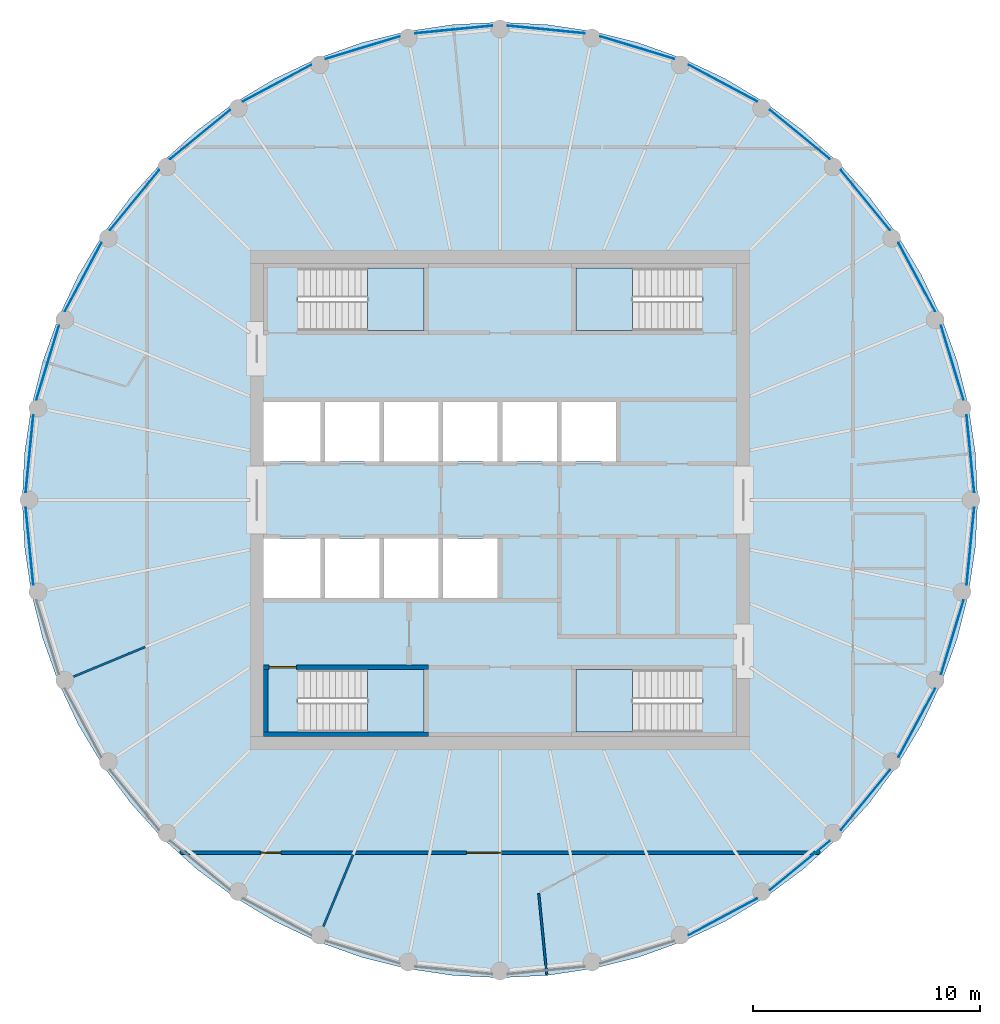
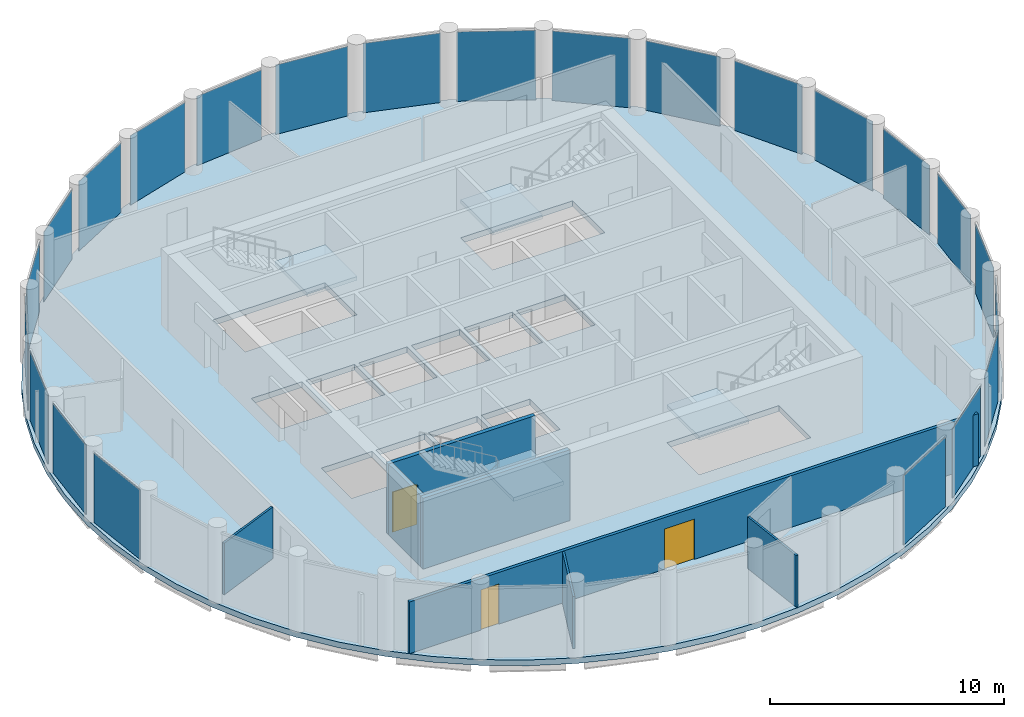
# One storey, part 3 of 7: 23 plates, 7 walls, 5 slabs, 3 doors, 3 openings, 27 elements without a shape of their own.
"""IFC4 building model written with IfcOpenShell, lengths in metres."""

from ifc_helpers import new_model, si_unit, direction, frame, frame_2d, origin, origin_2d, place, context, subcontext, project, spatial, polyline, rectangle, outline, extrude, material, layer, layer_set, type_object, element, fill, aggregate, save


model = new_model("IFC4")

# Units and contexts
model_context = context("Model", 3, precision=1e-05, world=origin(), true_north=direction((0.0, 1.0)))
body_context = subcontext(model_context, "Body", "Model", "MODEL_VIEW")
ifc_project = project(units=[si_unit("LENGTHUNIT", "METRE"), si_unit("AREAUNIT", "SQUARE_METRE"), si_unit("VOLUMEUNIT", "CUBIC_METRE"), si_unit("PLANEANGLEUNIT", "RADIAN"), si_unit("MASSUNIT", "GRAM", prefix="KILO")], contexts=[model_context])

# Site, building, storey
site_placement = place(None, origin())
site = spatial("IfcSite", under=ifc_project, at=site_placement, CompositionType="ELEMENT")
building_placement = place(site_placement, origin())
building = spatial("IfcBuilding", under=site, at=building_placement, Name="Corvane Civic Tower", CompositionType="ELEMENT")
storey_placement = place(building_placement, frame((0.0, 0.0, 360.5)))
storey = spatial("IfcBuildingStorey", under=building, at=storey_placement, Name="L86", CompositionType="ELEMENT", Elevation=360.5)

# Slab
ifc_material_1 = material(Name="Concrete C40/50", Category="concrete")
ifc_layer_1 = layer(ifc_material_1, 0.300048828125)
ifc_layer_set_1 = layer_set([ifc_layer_1], Name="Concrete C40/50")
slab_type_1 = type_object("IfcSlabType", Name="FLOOR SLAB 300", PredefinedType="FLOOR", material=ifc_layer_set_1)
slab_1_placement = place(storey_placement, frame((0.0, 0.0, -0.300048828125)))
element("IfcSlab", 1, at=slab_1_placement, inside=storey, type_object=slab_type_1, Name="SLB-L86", PredefinedType="FLOOR", context=body_context, shape_type="SweptSolid", body=[
    extrude(outline(polyline([(0.0, 21.0), (-2.058349609375, 20.89892578125), (-4.096923828125, 20.596435546875), (-6.095947265625, 20.095703125), (-8.036376953125, 19.4013671875), (-9.8994140625, 18.520263671875), (-11.6669921875, 17.4609375), (-13.322265625, 16.233154296875), (-14.84912109375, 14.84912109375), (-16.233154296875, 13.322265625), (-17.4609375, 11.6669921875), (-18.520263671875, 9.8994140625), (-19.4013671875, 8.036376953125), (-20.095703125, 6.095947265625), (-20.596435546875, 4.096923828125), (-20.89892578125, 2.058349609375), (-21.0, 0.0), (-20.89892578125, -2.058349609375), (-20.596435546875, -4.096923828125), (-20.095703125, -6.095947265625), (-19.4013671875, -8.036376953125), (-18.520263671875, -9.8994140625), (-17.4609375, -11.6669921875), (-16.233154296875, -13.322265625), (-14.84912109375, -14.84912109375), (-13.322265625, -16.233154296875), (-11.6669921875, -17.4609375), (-9.8994140625, -18.520263671875), (-8.036376953125, -19.4013671875), (-6.095947265625, -20.095703125), (-4.096923828125, -20.596435546875), (-2.058349609375, -20.89892578125), (0.0, -21.0), (2.058349609375, -20.89892578125), (4.096923828125, -20.596435546875), (6.095947265625, -20.095703125), (8.036376953125, -19.4013671875), (9.8994140625, -18.520263671875), (11.6669921875, -17.4609375), (13.322265625, -16.233154296875), (14.84912109375, -14.84912109375), (16.233154296875, -13.322265625), (17.4609375, -11.6669921875), (18.520263671875, -9.8994140625), (19.4013671875, -8.036376953125), (20.095703125, -6.095947265625), (20.596435546875, -4.096923828125), (20.89892578125, -2.058349609375), (21.0, 0.0), (20.89892578125, 2.058349609375), (20.596435546875, 4.096923828125), (20.095703125, 6.095947265625), (19.4013671875, 8.036376953125), (18.520263671875, 9.8994140625), (17.4609375, 11.6669921875), (16.233154296875, 13.322265625), (14.84912109375, 14.84912109375), (13.322265625, 16.233154296875), (11.6669921875, 17.4609375), (9.8994140625, 18.520263671875), (8.036376953125, 19.4013671875), (6.095947265625, 20.095703125), (4.096923828125, 20.596435546875), (2.058349609375, 20.89892578125), (0.0, 21.0)]), holes=[polyline([(-10.39990234375, 4.300048828125), (-7.89990234375, 4.300048828125), (-7.89990234375, 1.699951171875), (-10.39990234375, 1.699951171875), (-10.39990234375, 4.300048828125)]), polyline([(-7.699951171875, 4.300048828125), (-5.300048828125, 4.300048828125), (-5.300048828125, 1.699951171875), (-7.699951171875, 1.699951171875), (-7.699951171875, 4.300048828125)]), polyline([(-5.10009765625, 4.300048828125), (-2.699951171875, 4.300048828125), (-2.699951171875, 1.699951171875), (-5.10009765625, 1.699951171875), (-5.10009765625, 4.300048828125)]), polyline([(-2.5, 1.699951171875), (-2.5, 4.300048828125), (-0.10009765625, 4.300048828125), (-0.10009765625, 1.699951171875), (-2.5, 1.699951171875)]), polyline([(0.10009765625, 1.699951171875), (0.10009765625, 4.300048828125), (2.5, 4.300048828125), (2.5, 1.699951171875), (0.10009765625, 1.699951171875)]), polyline([(2.699951171875, 1.699951171875), (2.699951171875, 4.300048828125), (5.10009765625, 4.300048828125), (5.10009765625, 1.699951171875), (2.699951171875, 1.699951171875)]), polyline([(-10.39990234375, -1.699951171875), (-7.89990234375, -1.699951171875), (-7.89990234375, -4.300048828125), (-10.39990234375, -4.300048828125), (-10.39990234375, -1.699951171875)]), polyline([(-7.699951171875, -4.300048828125), (-7.699951171875, -1.699951171875), (-5.300048828125, -1.699951171875), (-5.300048828125, -4.300048828125), (-7.699951171875, -4.300048828125)]), polyline([(-5.10009765625, -4.300048828125), (-5.10009765625, -1.699951171875), (-2.699951171875, -1.699951171875), (-2.699951171875, -4.300048828125), (-5.10009765625, -4.300048828125)]), polyline([(-2.5, -4.300048828125), (-2.5, -1.699951171875), (-0.10009765625, -1.699951171875), (-0.10009765625, -4.300048828125), (-2.5, -4.300048828125)]), polyline([(8.889892578125, 10.199951171875), (8.889892578125, 7.449951171875), (3.35009765625, 7.449951171875), (3.35009765625, 10.199951171875), (8.889892578125, 10.199951171875)]), polyline([(-8.889892578125, 7.449951171875), (-8.889892578125, 10.199951171875), (-3.35009765625, 10.199951171875), (-3.35009765625, 7.449951171875), (-8.889892578125, 7.449951171875)]), polyline([(8.889892578125, -7.449951171875), (8.889892578125, -10.199951171875), (3.35009765625, -10.199951171875), (3.35009765625, -7.449951171875), (8.889892578125, -7.449951171875)]), polyline([(-8.889892578125, -10.199951171875), (-8.889892578125, -7.449951171875), (-3.35009765625, -7.449951171875), (-3.35009765625, -10.199951171875), (-8.889892578125, -10.199951171875)])]), origin(), (0.0, 0.0, 1.0), 0.300048828125),
])

# Stair, slab
ifc_material_2 = material(Name="Concrete C40/50", Category="concrete")
stair_type = type_object("IfcStairType", Name="ST-STAIR-HALFTURN", PredefinedType="HALF_TURN_STAIR", material=ifc_material_2)
stair_1_placement = place(storey_placement, origin())
stair_1 = element("IfcStair", 2, at=stair_1_placement, inside=storey, type_object=stair_type, Name="L86 Exit stair ST1", PredefinedType="HALF_TURN_STAIR")
ifc_material_3 = material(Name="Concrete C40/50", Category="concrete")
ifc_layer_2 = layer(ifc_material_3, 0.199951171875)
ifc_layer_set_2 = layer_set([ifc_layer_2], Name="Concrete C40/50")
slab_type_2 = type_object("IfcSlabType", Name="ST-LANDING-RC", PredefinedType="LANDING", material=ifc_layer_set_2)
slab_2_placement = place(storey_placement, frame((0.0, 0.0, 1.800048828125)))
slab_2 = element("IfcSlab", 3, at=slab_2_placement, type_object=slab_type_2, Name="ST1 landing 1", PredefinedType="LANDING", context=body_context, shape_type="SweptSolid", body=[
    extrude(outline(polyline([(5.820068359375, 10.199951171875), (3.35009765625, 10.199951171875), (3.35009765625, 7.449951171875), (5.820068359375, 7.449951171875), (5.820068359375, 10.199951171875)])), origin(), (0.0, 0.0, 1.0), 0.199951171875),
])
aggregate(stair_1, [slab_2])

stair_2_placement = place(storey_placement, origin())
stair_2 = element("IfcStair", 4, at=stair_2_placement, inside=storey, type_object=stair_type, Name="L86 Exit stair ST2", PredefinedType="HALF_TURN_STAIR")
slab_3_placement = place(storey_placement, frame((0.0, 0.0, 1.800048828125)))
slab_3 = element("IfcSlab", 5, at=slab_3_placement, type_object=slab_type_2, Name="ST2 landing 1", PredefinedType="LANDING", context=body_context, shape_type="SweptSolid", body=[
    extrude(outline(polyline([(5.820068359375, -7.449951171875), (3.35009765625, -7.449951171875), (3.35009765625, -10.199951171875), (5.820068359375, -10.199951171875), (5.820068359375, -7.449951171875)])), origin(), (0.0, 0.0, 1.0), 0.199951171875),
])
aggregate(stair_2, [slab_3])

stair_3_placement = place(storey_placement, origin())
stair_3 = element("IfcStair", 6, at=stair_3_placement, inside=storey, type_object=stair_type, Name="L86 Exit stair ST3", PredefinedType="HALF_TURN_STAIR")
slab_4_placement = place(storey_placement, frame((0.0, 0.0, 1.800048828125)))
slab_4 = element("IfcSlab", 7, at=slab_4_placement, type_object=slab_type_2, Name="ST3 landing 1", PredefinedType="LANDING", context=body_context, shape_type="SweptSolid", body=[
    extrude(outline(polyline([(-5.820068359375, -10.199951171875), (-3.35009765625, -10.199951171875), (-3.35009765625, -7.449951171875), (-5.820068359375, -7.449951171875), (-5.820068359375, -10.199951171875)])), origin(), (0.0, 0.0, 1.0), 0.199951171875),
])
aggregate(stair_3, [slab_4])

stair_4_placement = place(storey_placement, origin())
stair_4 = element("IfcStair", 8, at=stair_4_placement, inside=storey, type_object=stair_type, Name="L86 Exit stair ST4", PredefinedType="HALF_TURN_STAIR")
slab_5_placement = place(storey_placement, frame((0.0, 0.0, 1.800048828125)))
slab_5 = element("IfcSlab", 9, at=slab_5_placement, type_object=slab_type_2, Name="ST4 landing 1", PredefinedType="LANDING", context=body_context, shape_type="SweptSolid", body=[
    extrude(outline(polyline([(-5.820068359375, 7.449951171875), (-3.35009765625, 7.449951171875), (-3.35009765625, 10.199951171875), (-5.820068359375, 10.199951171875), (-5.820068359375, 7.449951171875)])), origin(), (0.0, 0.0, 1.0), 0.199951171875),
])
aggregate(stair_4, [slab_5])

# Curtain wall, plate
ifc_material_4 = material(Name="Anodised aluminium bronze", Category="aluminium")
curtain_wall_type = type_object("IfcCurtainWallType", Name="TOWER CW-T3 STICK CURTAIN WALL", PredefinedType="NOTDEFINED", material=ifc_material_4)
curtain_wall_1_placement = place(storey_placement, origin())
curtain_wall_1 = element("IfcCurtainWall", 10, at=curtain_wall_1_placement, inside=storey, type_object=curtain_wall_type, Name="Curtain wall CW-T3 L86 bay 01", PredefinedType="NOTDEFINED")
ifc_material_5 = material(Name="Tinted glass", Category="glass")
ifc_layer_3 = layer(ifc_material_5, 0.028076171875)
ifc_layer_set_3 = layer_set([ifc_layer_3], Name="Tinted glass")
plate_type = type_object("IfcPlateType", Name="TOWER CW-T3 PANEL IGU28", PredefinedType="CURTAIN_PANEL", material=ifc_layer_set_3)
plate_1_placement = place(storey_placement, frame((2.03662109375, 20.679443359375, 0.0), z_axis=(0.0, 0.0, 1.0), x_axis=(0.995186641028, -0.097997701601, 0.0)))
plate_1 = element("IfcPlate", 11, at=plate_1_placement, type_object=plate_type, Name="Glass panel CW-T3 L86 01.1", PredefinedType="CURTAIN_PANEL", context=body_context, shape_type="SweptSolid", body=[
    extrude(rectangle(XDim=3.402587890625, YDim=0.028076171875, at=origin_2d()), origin(), (0.0, 0.0, 1.0), 3.6298828125),
])
aggregate(curtain_wall_1, [plate_1])

curtain_wall_2_placement = place(storey_placement, origin())
curtain_wall_2 = element("IfcCurtainWall", 12, at=curtain_wall_2_placement, inside=storey, type_object=curtain_wall_type, Name="Curtain wall CW-T3 L86 bay 02", PredefinedType="NOTDEFINED")
plate_2_placement = place(storey_placement, frame((6.031982421875, 19.884765625, 0.0), z_axis=(0.0, 0.0, 1.0), x_axis=(0.956938582641, -0.290290456359, 0.0)))
plate_2 = element("IfcPlate", 13, at=plate_2_placement, type_object=plate_type, Name="Glass panel CW-T3 L86 02.1", PredefinedType="CURTAIN_PANEL", context=body_context, shape_type="SweptSolid", body=[
    extrude(rectangle(XDim=3.40283203125, YDim=0.028076171875, at=origin_2d()), origin(), (0.0, 0.0, 1.0), 3.6298828125),
])
aggregate(curtain_wall_2, [plate_2])

curtain_wall_3_placement = place(storey_placement, origin())
curtain_wall_3 = element("IfcCurtainWall", 14, at=curtain_wall_3_placement, inside=storey, type_object=curtain_wall_type, Name="Curtain wall CW-T3 L86 bay 03", PredefinedType="NOTDEFINED")
plate_3_placement = place(storey_placement, frame((9.79541015625, 18.325927734375, 0.0), z_axis=(0.0, 0.0, 1.0), x_axis=(0.88192824848, -0.471383670202, 0.0)))
plate_3 = element("IfcPlate", 15, at=plate_3_placement, type_object=plate_type, Name="Glass panel CW-T3 L86 03.1", PredefinedType="CURTAIN_PANEL", context=body_context, shape_type="SweptSolid", body=[
    extrude(rectangle(XDim=3.40234375, YDim=0.028076171875, at=origin_2d()), origin(), (0.0, 0.0, 1.0), 3.6298828125),
])
aggregate(curtain_wall_3, [plate_3])

curtain_wall_4_placement = place(storey_placement, origin())
curtain_wall_4 = element("IfcCurtainWall", 16, at=curtain_wall_4_placement, inside=storey, type_object=curtain_wall_type, Name="Curtain wall CW-T3 L86 bay 04", PredefinedType="NOTDEFINED")
plate_4_placement = place(storey_placement, frame((13.182373046875, 16.062744140625, 0.0), z_axis=(0.0, 0.0, 1.0), x_axis=(0.773010369391, -0.634393386484, 0.0)))
plate_4 = element("IfcPlate", 17, at=plate_4_placement, type_object=plate_type, Name="Glass panel CW-T3 L86 04.1", PredefinedType="CURTAIN_PANEL", context=body_context, shape_type="SweptSolid", body=[
    extrude(rectangle(XDim=3.402587890625, YDim=0.028076171875, at=origin_2d()), origin(), (0.0, 0.0, 1.0), 3.6298828125),
])
aggregate(curtain_wall_4, [plate_4])

curtain_wall_5_placement = place(storey_placement, origin())
curtain_wall_5 = element("IfcCurtainWall", 18, at=curtain_wall_5_placement, inside=storey, type_object=curtain_wall_type, Name="Curtain wall CW-T3 L86 bay 05", PredefinedType="NOTDEFINED")
plate_5_placement = place(storey_placement, frame((16.062744140625, 13.182373046875, 0.0), z_axis=(0.0, 0.0, 1.0), x_axis=(0.634393386484, -0.773010369391, 0.0)))
plate_5 = element("IfcPlate", 19, at=plate_5_placement, type_object=plate_type, Name="Glass panel CW-T3 L86 05.1", PredefinedType="CURTAIN_PANEL", context=body_context, shape_type="SweptSolid", body=[
    extrude(rectangle(XDim=3.402587890625, YDim=0.028076171875, at=origin_2d()), origin(), (0.0, 0.0, 1.0), 3.6298828125),
])
aggregate(curtain_wall_5, [plate_5])

curtain_wall_6_placement = place(storey_placement, origin())
curtain_wall_6 = element("IfcCurtainWall", 20, at=curtain_wall_6_placement, inside=storey, type_object=curtain_wall_type, Name="Curtain wall CW-T3 L86 bay 06", PredefinedType="NOTDEFINED")
plate_6_placement = place(storey_placement, frame((18.325927734375, 9.79541015625, 0.0), z_axis=(0.0, 0.0, 1.0), x_axis=(0.471383670202, -0.88192824848, 0.0)))
plate_6 = element("IfcPlate", 21, at=plate_6_placement, type_object=plate_type, Name="Glass panel CW-T3 L86 06.1", PredefinedType="CURTAIN_PANEL", context=body_context, shape_type="SweptSolid", body=[
    extrude(rectangle(XDim=3.40234375, YDim=0.028076171875, at=origin_2d()), origin(), (0.0, 0.0, 1.0), 3.6298828125),
])
aggregate(curtain_wall_6, [plate_6])

curtain_wall_7_placement = place(storey_placement, origin())
curtain_wall_7 = element("IfcCurtainWall", 22, at=curtain_wall_7_placement, inside=storey, type_object=curtain_wall_type, Name="Curtain wall CW-T3 L86 bay 07", PredefinedType="NOTDEFINED")
plate_7_placement = place(storey_placement, frame((19.884765625, 6.031982421875, 0.0), z_axis=(0.0, 0.0, 1.0), x_axis=(0.290290456359, -0.956938582641, 0.0)))
plate_7 = element("IfcPlate", 23, at=plate_7_placement, type_object=plate_type, Name="Glass panel CW-T3 L86 07.1", PredefinedType="CURTAIN_PANEL", context=body_context, shape_type="SweptSolid", body=[
    extrude(rectangle(XDim=3.40283203125, YDim=0.028076171875, at=origin_2d()), origin(), (0.0, 0.0, 1.0), 3.6298828125),
])
aggregate(curtain_wall_7, [plate_7])

curtain_wall_8_placement = place(storey_placement, origin())
curtain_wall_8 = element("IfcCurtainWall", 24, at=curtain_wall_8_placement, inside=storey, type_object=curtain_wall_type, Name="Curtain wall CW-T3 L86 bay 08", PredefinedType="NOTDEFINED")
plate_8_placement = place(storey_placement, frame((20.679443359375, 2.03662109375, 0.0), z_axis=(0.0, 0.0, 1.0), x_axis=(0.097997701601, -0.995186641028, 0.0)))
plate_8 = element("IfcPlate", 25, at=plate_8_placement, type_object=plate_type, Name="Glass panel CW-T3 L86 08.1", PredefinedType="CURTAIN_PANEL", context=body_context, shape_type="SweptSolid", body=[
    extrude(rectangle(XDim=3.402587890625, YDim=0.028076171875, at=origin_2d()), origin(), (0.0, 0.0, 1.0), 3.6298828125),
])
aggregate(curtain_wall_8, [plate_8])

curtain_wall_9_placement = place(storey_placement, origin())
curtain_wall_9 = element("IfcCurtainWall", 26, at=curtain_wall_9_placement, inside=storey, type_object=curtain_wall_type, Name="Curtain wall CW-T3 L86 bay 09", PredefinedType="NOTDEFINED")
plate_9_placement = place(storey_placement, frame((20.679443359375, -2.03662109375, 0.0), z_axis=(0.0, 0.0, 1.0), x_axis=(-0.097997701601, -0.995186641028, 0.0)))
plate_9 = element("IfcPlate", 27, at=plate_9_placement, type_object=plate_type, Name="Glass panel CW-T3 L86 09.1", PredefinedType="CURTAIN_PANEL", context=body_context, shape_type="SweptSolid", body=[
    extrude(rectangle(XDim=3.402587890625, YDim=0.028076171875, at=origin_2d()), origin(), (0.0, 0.0, 1.0), 3.6298828125),
])
aggregate(curtain_wall_9, [plate_9])

curtain_wall_10_placement = place(storey_placement, origin())
curtain_wall_10 = element("IfcCurtainWall", 28, at=curtain_wall_10_placement, inside=storey, type_object=curtain_wall_type, Name="Curtain wall CW-T3 L86 bay 10", PredefinedType="NOTDEFINED")
plate_10_placement = place(storey_placement, frame((19.884765625, -6.031982421875, 0.0), z_axis=(0.0, 0.0, 1.0), x_axis=(-0.290290456359, -0.956938582641, 0.0)))
plate_10 = element("IfcPlate", 29, at=plate_10_placement, type_object=plate_type, Name="Glass panel CW-T3 L86 10.1", PredefinedType="CURTAIN_PANEL", context=body_context, shape_type="SweptSolid", body=[
    extrude(rectangle(XDim=3.40283203125, YDim=0.028076171875, at=origin_2d()), origin(), (0.0, 0.0, 1.0), 3.6298828125),
])
aggregate(curtain_wall_10, [plate_10])

curtain_wall_11_placement = place(storey_placement, origin())
curtain_wall_11 = element("IfcCurtainWall", 30, at=curtain_wall_11_placement, inside=storey, type_object=curtain_wall_type, Name="Curtain wall CW-T3 L86 bay 11", PredefinedType="NOTDEFINED")
plate_11_placement = place(storey_placement, frame((18.325927734375, -9.79541015625, 0.0), z_axis=(0.0, 0.0, 1.0), x_axis=(-0.471383670202, -0.88192824848, 0.0)))
plate_11 = element("IfcPlate", 31, at=plate_11_placement, type_object=plate_type, Name="Glass panel CW-T3 L86 11.1", PredefinedType="CURTAIN_PANEL", context=body_context, shape_type="SweptSolid", body=[
    extrude(rectangle(XDim=3.40234375, YDim=0.028076171875, at=origin_2d()), origin(), (0.0, 0.0, 1.0), 3.6298828125),
])
aggregate(curtain_wall_11, [plate_11])

curtain_wall_12_placement = place(storey_placement, origin())
curtain_wall_12 = element("IfcCurtainWall", 32, at=curtain_wall_12_placement, inside=storey, type_object=curtain_wall_type, Name="Curtain wall CW-T3 L86 bay 12", PredefinedType="NOTDEFINED")
plate_12_placement = place(storey_placement, frame((16.062744140625, -13.182373046875, 0.0), z_axis=(0.0, 0.0, 1.0), x_axis=(-0.634393386484, -0.773010369391, 0.0)))
plate_12 = element("IfcPlate", 33, at=plate_12_placement, type_object=plate_type, Name="Glass panel CW-T3 L86 12.1", PredefinedType="CURTAIN_PANEL", context=body_context, shape_type="SweptSolid", body=[
    extrude(rectangle(XDim=3.402587890625, YDim=0.028076171875, at=origin_2d()), origin(), (0.0, 0.0, 1.0), 3.6298828125),
])
aggregate(curtain_wall_12, [plate_12])

curtain_wall_13_placement = place(storey_placement, origin())
curtain_wall_13 = element("IfcCurtainWall", 34, at=curtain_wall_13_placement, inside=storey, type_object=curtain_wall_type, Name="Curtain wall CW-T3 L86 bay 13", PredefinedType="NOTDEFINED")
plate_13_placement = place(storey_placement, frame((13.182373046875, -16.062744140625, 0.0), z_axis=(0.0, 0.0, 1.0), x_axis=(-0.773010369391, -0.634393386484, 0.0)))
plate_13 = element("IfcPlate", 35, at=plate_13_placement, type_object=plate_type, Name="Glass panel CW-T3 L86 13.1", PredefinedType="CURTAIN_PANEL", context=body_context, shape_type="SweptSolid", body=[
    extrude(rectangle(XDim=3.402587890625, YDim=0.028076171875, at=origin_2d()), origin(), (0.0, 0.0, 1.0), 3.6298828125),
])
aggregate(curtain_wall_13, [plate_13])

curtain_wall_14_placement = place(storey_placement, origin())
curtain_wall_14 = element("IfcCurtainWall", 36, at=curtain_wall_14_placement, inside=storey, type_object=curtain_wall_type, Name="Curtain wall CW-T3 L86 bay 14", PredefinedType="NOTDEFINED")
plate_14_placement = place(storey_placement, frame((9.79541015625, -18.325927734375, 0.0), z_axis=(0.0, 0.0, 1.0), x_axis=(-0.88192824848, -0.471383670202, 0.0)))
plate_14 = element("IfcPlate", 37, at=plate_14_placement, type_object=plate_type, Name="Glass panel CW-T3 L86 14.1", PredefinedType="CURTAIN_PANEL", context=body_context, shape_type="SweptSolid", body=[
    extrude(rectangle(XDim=3.40234375, YDim=0.028076171875, at=origin_2d()), origin(), (0.0, 0.0, 1.0), 3.6298828125),
])
aggregate(curtain_wall_14, [plate_14])

curtain_wall_15_placement = place(storey_placement, origin())
curtain_wall_15 = element("IfcCurtainWall", 38, at=curtain_wall_15_placement, inside=storey, type_object=curtain_wall_type, Name="Curtain wall CW-T3 L86 bay 24", PredefinedType="NOTDEFINED")
plate_15_placement = place(storey_placement, frame((-20.679443359375, -2.03662109375, 0.0), z_axis=(0.0, 0.0, 1.0), x_axis=(-0.097997701601, 0.995186641028, 0.0)))
plate_15 = element("IfcPlate", 39, at=plate_15_placement, type_object=plate_type, Name="Glass panel CW-T3 L86 24.1", PredefinedType="CURTAIN_PANEL", context=body_context, shape_type="SweptSolid", body=[
    extrude(rectangle(XDim=3.402587890625, YDim=0.028076171875, at=origin_2d()), origin(), (0.0, 0.0, 1.0), 3.6298828125),
])
aggregate(curtain_wall_15, [plate_15])

curtain_wall_16_placement = place(storey_placement, origin())
curtain_wall_16 = element("IfcCurtainWall", 40, at=curtain_wall_16_placement, inside=storey, type_object=curtain_wall_type, Name="Curtain wall CW-T3 L86 bay 25", PredefinedType="NOTDEFINED")
plate_16_placement = place(storey_placement, frame((-20.679443359375, 2.03662109375, 0.0), z_axis=(0.0, 0.0, 1.0), x_axis=(0.097997701601, 0.995186641028, 0.0)))
plate_16 = element("IfcPlate", 41, at=plate_16_placement, type_object=plate_type, Name="Glass panel CW-T3 L86 25.1", PredefinedType="CURTAIN_PANEL", context=body_context, shape_type="SweptSolid", body=[
    extrude(rectangle(XDim=3.402587890625, YDim=0.028076171875, at=origin_2d()), origin(), (0.0, 0.0, 1.0), 3.6298828125),
])
aggregate(curtain_wall_16, [plate_16])

curtain_wall_17_placement = place(storey_placement, origin())
curtain_wall_17 = element("IfcCurtainWall", 42, at=curtain_wall_17_placement, inside=storey, type_object=curtain_wall_type, Name="Curtain wall CW-T3 L86 bay 26", PredefinedType="NOTDEFINED")
plate_17_placement = place(storey_placement, frame((-19.884765625, 6.031982421875, 0.0), z_axis=(0.0, 0.0, 1.0), x_axis=(0.290290456359, 0.956938582641, 0.0)))
plate_17 = element("IfcPlate", 43, at=plate_17_placement, type_object=plate_type, Name="Glass panel CW-T3 L86 26.1", PredefinedType="CURTAIN_PANEL", context=body_context, shape_type="SweptSolid", body=[
    extrude(rectangle(XDim=3.40283203125, YDim=0.028076171875, at=origin_2d()), origin(), (0.0, 0.0, 1.0), 3.6298828125),
])
aggregate(curtain_wall_17, [plate_17])

curtain_wall_18_placement = place(storey_placement, origin())
curtain_wall_18 = element("IfcCurtainWall", 44, at=curtain_wall_18_placement, inside=storey, type_object=curtain_wall_type, Name="Curtain wall CW-T3 L86 bay 27", PredefinedType="NOTDEFINED")
plate_18_placement = place(storey_placement, frame((-18.325927734375, 9.79541015625, 0.0), z_axis=(0.0, 0.0, 1.0), x_axis=(0.471383670202, 0.88192824848, 0.0)))
plate_18 = element("IfcPlate", 45, at=plate_18_placement, type_object=plate_type, Name="Glass panel CW-T3 L86 27.1", PredefinedType="CURTAIN_PANEL", context=body_context, shape_type="SweptSolid", body=[
    extrude(rectangle(XDim=3.40234375, YDim=0.028076171875, at=origin_2d()), origin(), (0.0, 0.0, 1.0), 3.6298828125),
])
aggregate(curtain_wall_18, [plate_18])

curtain_wall_19_placement = place(storey_placement, origin())
curtain_wall_19 = element("IfcCurtainWall", 46, at=curtain_wall_19_placement, inside=storey, type_object=curtain_wall_type, Name="Curtain wall CW-T3 L86 bay 28", PredefinedType="NOTDEFINED")
plate_19_placement = place(storey_placement, frame((-16.062744140625, 13.182373046875, 0.0), z_axis=(0.0, 0.0, 1.0), x_axis=(0.634393386484, 0.773010369391, 0.0)))
plate_19 = element("IfcPlate", 47, at=plate_19_placement, type_object=plate_type, Name="Glass panel CW-T3 L86 28.1", PredefinedType="CURTAIN_PANEL", context=body_context, shape_type="SweptSolid", body=[
    extrude(rectangle(XDim=3.402587890625, YDim=0.028076171875, at=origin_2d()), origin(), (0.0, 0.0, 1.0), 3.6298828125),
])
aggregate(curtain_wall_19, [plate_19])

curtain_wall_20_placement = place(storey_placement, origin())
curtain_wall_20 = element("IfcCurtainWall", 48, at=curtain_wall_20_placement, inside=storey, type_object=curtain_wall_type, Name="Curtain wall CW-T3 L86 bay 29", PredefinedType="NOTDEFINED")
plate_20_placement = place(storey_placement, frame((-13.182373046875, 16.062744140625, 0.0), z_axis=(0.0, 0.0, 1.0), x_axis=(0.773010369391, 0.634393386484, 0.0)))
plate_20 = element("IfcPlate", 49, at=plate_20_placement, type_object=plate_type, Name="Glass panel CW-T3 L86 29.1", PredefinedType="CURTAIN_PANEL", context=body_context, shape_type="SweptSolid", body=[
    extrude(rectangle(XDim=3.402587890625, YDim=0.028076171875, at=origin_2d()), origin(), (0.0, 0.0, 1.0), 3.6298828125),
])
aggregate(curtain_wall_20, [plate_20])

curtain_wall_21_placement = place(storey_placement, origin())
curtain_wall_21 = element("IfcCurtainWall", 50, at=curtain_wall_21_placement, inside=storey, type_object=curtain_wall_type, Name="Curtain wall CW-T3 L86 bay 30", PredefinedType="NOTDEFINED")
plate_21_placement = place(storey_placement, frame((-9.79541015625, 18.325927734375, 0.0), z_axis=(0.0, 0.0, 1.0), x_axis=(0.88192824848, 0.471383670202, 0.0)))
plate_21 = element("IfcPlate", 51, at=plate_21_placement, type_object=plate_type, Name="Glass panel CW-T3 L86 30.1", PredefinedType="CURTAIN_PANEL", context=body_context, shape_type="SweptSolid", body=[
    extrude(rectangle(XDim=3.40234375, YDim=0.028076171875, at=origin_2d()), origin(), (0.0, 0.0, 1.0), 3.6298828125),
])
aggregate(curtain_wall_21, [plate_21])

curtain_wall_22_placement = place(storey_placement, origin())
curtain_wall_22 = element("IfcCurtainWall", 52, at=curtain_wall_22_placement, inside=storey, type_object=curtain_wall_type, Name="Curtain wall CW-T3 L86 bay 31", PredefinedType="NOTDEFINED")
plate_22_placement = place(storey_placement, frame((-6.031982421875, 19.884765625, 0.0), z_axis=(0.0, 0.0, 1.0), x_axis=(0.956938582641, 0.290290456359, 0.0)))
plate_22 = element("IfcPlate", 53, at=plate_22_placement, type_object=plate_type, Name="Glass panel CW-T3 L86 31.1", PredefinedType="CURTAIN_PANEL", context=body_context, shape_type="SweptSolid", body=[
    extrude(rectangle(XDim=3.40283203125, YDim=0.028076171875, at=origin_2d()), origin(), (0.0, 0.0, 1.0), 3.6298828125),
])
aggregate(curtain_wall_22, [plate_22])

curtain_wall_23_placement = place(storey_placement, origin())
curtain_wall_23 = element("IfcCurtainWall", 54, at=curtain_wall_23_placement, inside=storey, type_object=curtain_wall_type, Name="Curtain wall CW-T3 L86 bay 32", PredefinedType="NOTDEFINED")
plate_23_placement = place(storey_placement, frame((-2.03662109375, 20.679443359375, 0.0), z_axis=(0.0, 0.0, 1.0), x_axis=(0.995186641028, 0.097997701601, 0.0)))
plate_23 = element("IfcPlate", 55, at=plate_23_placement, type_object=plate_type, Name="Glass panel CW-T3 L86 32.1", PredefinedType="CURTAIN_PANEL", context=body_context, shape_type="SweptSolid", body=[
    extrude(rectangle(XDim=3.402587890625, YDim=0.028076171875, at=origin_2d()), origin(), (0.0, 0.0, 1.0), 3.6298828125),
])
aggregate(curtain_wall_23, [plate_23])

# Walls
ifc_material_6 = material(Name="Plasterboard")
ifc_layer_4 = layer(ifc_material_6, 0.10009765625)
ifc_layer_set_4 = layer_set([ifc_layer_4], Name="Plasterboard")
wall_type_1 = type_object("IfcWallType", Name="Partition 100 plasterboard on studs", PredefinedType="PARTITIONING", material=ifc_layer_set_4)
wall_1_placement = place(storey_placement, frame((1.70361328125, -17.295654296875, 0.0), z_axis=(0.0, 0.0, 1.0), x_axis=(0.097973745304, -0.995188999754, 0.0)))
element("IfcWall", 56, at=wall_1_placement, inside=storey, type_object=wall_type_1, Name="Partition L86.001", PredefinedType="PARTITIONING", context=body_context, shape_type="SweptSolid", body=[
    extrude(rectangle(XDim=3.57080078125, YDim=0.10009765625, at=frame_2d((1.785400390625, 0.0))), origin(), (0.0, 0.0, 1.0), 2.699951171875),
])
for number, where, z_axis, x_axis, name in (
    (57, (-7.7646484375, -18.74560546875, 0.0), (0.0, 0.0, 1.0), (0.382678369606, 0.923881629558, 0.0), "Partition L86.002"),
    (58, (-18.74560546875, -7.7646484375, 0.0), (0.0, 0.0, 1.0), (0.923881629558, 0.382678369606, 0.0), "Partition L86.007"),
):
    element("IfcWall", number, at=place(storey_placement, frame(where, z_axis=z_axis, x_axis=x_axis)), inside=storey, type_object=wall_type_1, Name=name, PredefinedType="PARTITIONING", context=body_context, shape_type="SweptSolid", body=[
        extrude(rectangle(XDim=3.411376953125, YDim=0.10009765625, at=frame_2d((1.70556640625, 0.0))), origin(), (0.0, 0.0, 1.0), 2.699951171875),
    ])

# Wall, opening, door
ifc_material_7 = material(Name="Concrete C50/60", Category="concrete")
ifc_layer_5 = layer(ifc_material_7, 0.199951171875)
ifc_layer_set_5 = layer_set([ifc_layer_5], Name="Concrete C50/60")
wall_type_2 = type_object("IfcWallType", Name="ST-WALL-200", PredefinedType="SHEAR", material=ifc_layer_set_5)
wall_2_placement = place(storey_placement, frame((-10.39990234375, -7.35009765625, 0.0), z_axis=(0.0, 0.0, 1.0), x_axis=(1.0, 0.0, 0.0)))
wall_2 = element("IfcWall", 59, at=wall_2_placement, inside=storey, type_object=wall_type_2, Name="L86 stair enclosure wall", PredefinedType="SHEAR", context=body_context, shape_type="SweptSolid", body=[
    extrude(rectangle(XDim=7.25, YDim=0.199951171875, at=frame_2d((3.625, 0.0))), origin(), (0.0, 0.0, 1.0), 3.699951171875),
])
opening_1_placement = place(wall_2_placement, frame((0.25, 0.0, 0.0)))
opening_1 = element("IfcOpeningElement", 60, at=opening_1_placement, cuts=wall_2, Name="Opening L86.C11", PredefinedType="OPENING", context=body_context, shape_type="SweptSolid", body=[
    extrude(rectangle(XDim=1.199951171875, YDim=2.10009765625, at=frame_2d((0.60009765625, 1.050048828125))), frame((0.0, 0.10986328125, 0.0), z_axis=(0.0, -1.0, 0.0), x_axis=(1.0, 0.0, 0.0)), (0.0, 0.0, 1.0), 0.219970703125),
])
ifc_material_8 = material(Name="Steel fire door leaf", Category="steel")
door_type_1 = type_object("IfcDoorType", Name="ST-DOOR-1200", OperationType="SINGLE_SWING_RIGHT", PredefinedType="DOOR", material=ifc_material_8)
door_1_placement = place(opening_1_placement, origin())
door_1 = element("IfcDoor", 61, at=door_1_placement, inside=storey, type_object=door_type_1, Name="L86 stair door", OperationType="SINGLE_SWING_RIGHT", OverallHeight=2.10009765625, OverallWidth=1.199951171875, PredefinedType="DOOR", context=body_context, shape_type="SweptSolid", body=[
    extrude(rectangle(XDim=1.199951171875, YDim=2.10009765625, at=frame_2d((0.60009765625, 1.050048828125))), frame((0.0, 0.02490234375, 0.0), z_axis=(0.0, -1.0, 0.0), x_axis=(1.0, 0.0, 0.0)), (0.0, 0.0, 1.0), 0.050048828125),
])
fill(opening_1, door_1)

# Walls
wall_3_placement = place(storey_placement, origin())
element("IfcWall", 62, at=wall_3_placement, inside=storey, type_object=wall_type_2, Name="L86 stair enclosure wall", PredefinedType="SHEAR", context=body_context, shape_type="SweptSolid", body=[
    extrude(outline(polyline([(-3.14990234375, -10.199951171875), (-3.14990234375, -10.39990234375), (-10.39990234375, -10.39990234375), (-10.39990234375, -10.199951171875), (-3.14990234375, -10.199951171875)])), origin(), (0.0, 0.0, 1.0), 3.699951171875),
])
wall_4_placement = place(storey_placement, origin())
element("IfcWall", 63, at=wall_4_placement, inside=storey, type_object=wall_type_2, Name="L86 stair enclosure wall", PredefinedType="SHEAR", context=body_context, shape_type="SweptSolid", body=[
    extrude(outline(polyline([(-10.199951171875, -7.449951171875), (-10.199951171875, -10.199951171875), (-10.39990234375, -10.199951171875), (-10.39990234375, -7.449951171875), (-10.199951171875, -7.449951171875)])), origin(), (0.0, 0.0, 1.0), 3.699951171875),
])

# Wall, openings, doors
ifc_material_9 = material(Name="Plasterboard")
ifc_layer_6 = layer(ifc_material_9, 0.14990234375)
ifc_layer_set_6 = layer_set([ifc_layer_6], Name="Plasterboard")
wall_type_3 = type_object("IfcWallType", Name="Tenancy wall 150 EI 60", PredefinedType="PARTITIONING", material=ifc_layer_set_6)
wall_5_placement = place(storey_placement, frame((-14.05712890625, -15.5, 0.0), z_axis=(0.0, 0.0, 1.0), x_axis=(1.0, 0.0, 0.0)))
wall_5 = element("IfcWall", 64, at=wall_5_placement, inside=storey, type_object=wall_type_3, Name="Partition L86.004", PredefinedType="PARTITIONING", context=body_context, shape_type="SweptSolid", body=[
    extrude(rectangle(XDim=28.1142578125, YDim=0.14990234375, at=frame_2d((14.05712890625, 0.0))), origin(), (0.0, 0.0, 1.0), 2.699951171875),
])
opening_2_placement = place(wall_5_placement, frame((3.522216796875, 0.0, 0.0)))
opening_2 = element("IfcOpeningElement", 65, at=opening_2_placement, cuts=wall_5, Name="Opening L86.001", PredefinedType="OPENING", context=body_context, shape_type="SweptSolid", body=[
    extrude(rectangle(XDim=0.89990234375, YDim=2.10009765625, at=frame_2d((0.449951171875, 1.050048828125))), frame((0.0, 0.0849609375, 0.0), z_axis=(0.0, -1.0, 0.0), x_axis=(1.0, 0.0, 0.0)), (0.0, 0.0, 1.0), 0.169921875),
])
opening_3_placement = place(wall_5_placement, frame((12.59521484375, 0.0, 0.0)))
opening_3 = element("IfcOpeningElement", 66, at=opening_3_placement, cuts=wall_5, Name="Opening L86.013", PredefinedType="OPENING", context=body_context, shape_type="SweptSolid", body=[
    extrude(rectangle(XDim=1.5, YDim=2.10009765625, at=frame_2d((0.75, 1.050048828125))), frame((0.0, 0.0849609375, 0.0), z_axis=(0.0, -1.0, 0.0), x_axis=(1.0, 0.0, 0.0)), (0.0, 0.0, 1.0), 0.169921875),
])
ifc_material_10 = material(Name="Steel and timber", Category="steel")
door_type_2 = type_object("IfcDoorType", Name="Fire door FD30S 900", OperationType="NOTDEFINED", PredefinedType="DOOR", material=ifc_material_10)
door_2_placement = place(opening_2_placement, frame((0.89990234375, 0.0, 0.0), z_axis=(0.0, 0.0, 1.0), x_axis=(-1.0, 0.0, 0.0)))
door_2 = element("IfcDoor", 67, at=door_2_placement, inside=storey, type_object=door_type_2, Name="Door L86.001", OperationType="SINGLE_SWING_LEFT", OverallHeight=2.10009765625, OverallWidth=0.89990234375, PredefinedType="DOOR", context=body_context, shape_type="SweptSolid", body=[
    extrude(rectangle(XDim=0.89990234375, YDim=2.10009765625, at=frame_2d((0.449951171875, 1.050048828125))), frame((0.0, 0.02490234375, 0.0), z_axis=(0.0, -1.0, 0.0), x_axis=(1.0, 0.0, 0.0)), (0.0, 0.0, 1.0), 0.050048828125),
])
fill(opening_2, door_2)
ifc_material_11 = material(Name="Steel and timber", Category="steel")
door_type_3 = type_object("IfcDoorType", Name="Fire door FD60 double 1500", OperationType="NOTDEFINED", PredefinedType="DOOR", material=ifc_material_11)
door_3_placement = place(opening_3_placement, frame((1.5, 0.0, 0.0), z_axis=(0.0, 0.0, 1.0), x_axis=(-1.0, 0.0, 0.0)))
door_3 = element("IfcDoor", 68, at=door_3_placement, inside=storey, type_object=door_type_3, Name="Door L86.013", OperationType="DOUBLE_DOOR_SINGLE_SWING", OverallHeight=2.10009765625, OverallWidth=1.5, PredefinedType="DOOR", context=body_context, shape_type="SweptSolid", body=[
    extrude(rectangle(XDim=1.5, YDim=2.10009765625, at=frame_2d((0.75, 1.050048828125))), frame((0.0, 0.02490234375, 0.0), z_axis=(0.0, -1.0, 0.0), x_axis=(1.0, 0.0, 0.0)), (0.0, 0.0, 1.0), 0.050048828125),
])
fill(opening_3, door_3)

save(model, "model.ifc")
